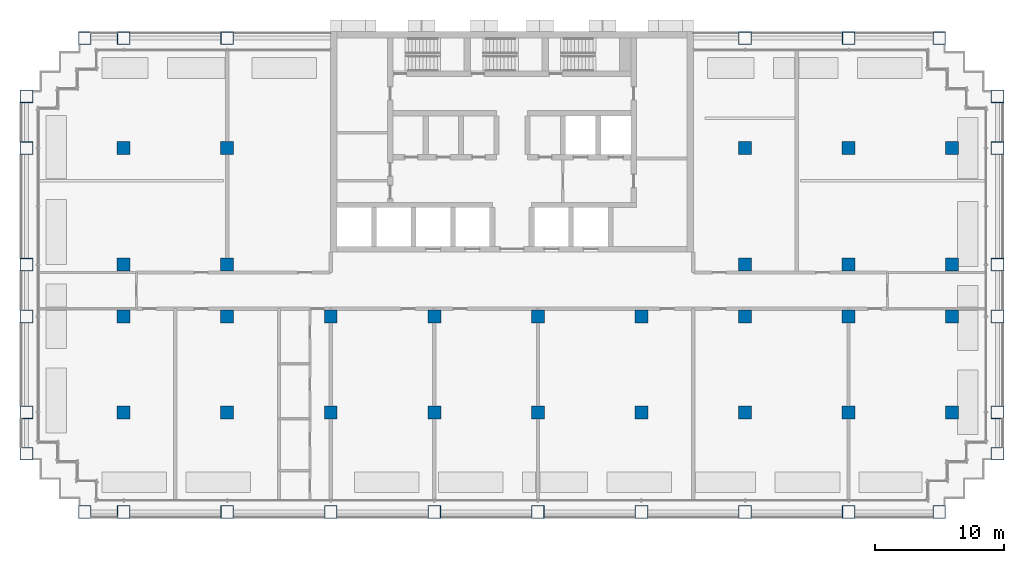
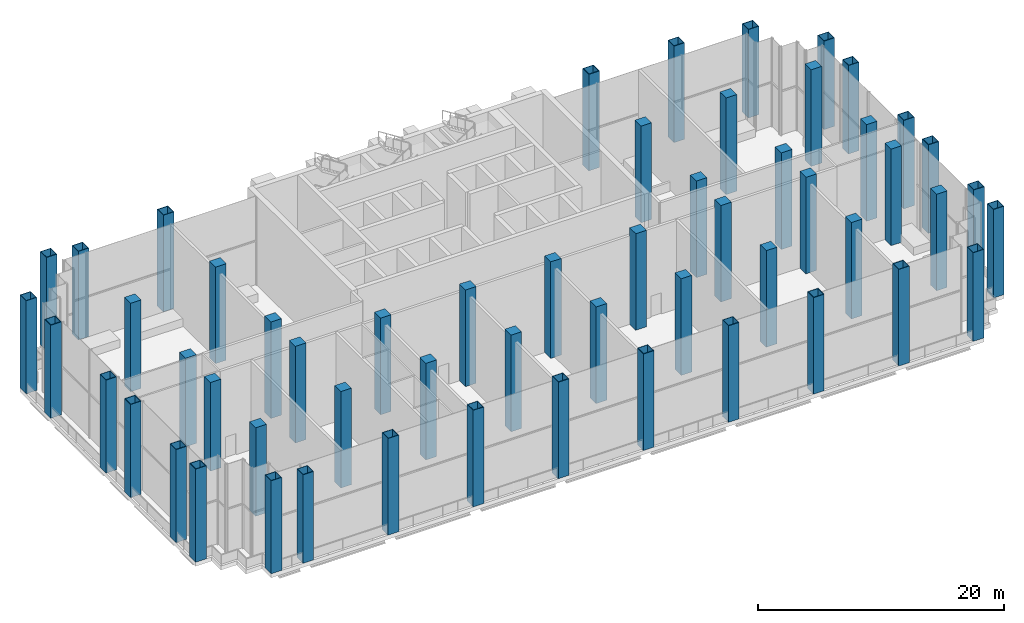
# One storey, part 1 of 16: 56 columns.
"""IFC4 building model written with IfcOpenShell, lengths in metres."""

from ifc_helpers import new_model, si_unit, direction, frame, origin, origin_2d, place, context, subcontext, project, spatial, rectangle, hollow_rectangle, extrude, material, material_profile, profile_set, type_object, element, save


model = new_model("IFC4")

# Units and contexts
model_context = context("Model", 3, precision=1e-05, world=origin(), true_north=direction((0.0, 1.0)))
body_context = subcontext(model_context, "Body", "Model", "MODEL_VIEW")
ifc_project = project(units=[si_unit("LENGTHUNIT", "METRE"), si_unit("AREAUNIT", "SQUARE_METRE"), si_unit("VOLUMEUNIT", "CUBIC_METRE"), si_unit("PLANEANGLEUNIT", "RADIAN"), si_unit("MASSUNIT", "GRAM", prefix="KILO")], contexts=[model_context])

# Site, building, storey
site_placement = place(None, origin())
site = spatial("IfcSite", under=ifc_project, at=site_placement, CompositionType="ELEMENT")
building_placement = place(site_placement, origin())
building = spatial("IfcBuilding", under=site, at=building_placement, Name="Vidyagriha Tower", CompositionType="ELEMENT")
storey_placement = place(building_placement, frame((0.0, 0.0, 64.0)))
storey = spatial("IfcBuildingStorey", under=building, at=storey_placement, Name="L17", CompositionType="ELEMENT", Elevation=64.0)

# Columns
ifc_material_1 = material(Name="Steel ASTM A572 Grade 50", Category="steel")
ifc_material_profile_1 = material_profile(ifc_material_1, hollow_rectangle(XDim=1.0, YDim=1.0, WallThickness=0.050048828125, at=origin_2d()), Name="BOX 1000x1000x50")
ifc_profile_set_1 = profile_set([ifc_material_profile_1], Name="Steel ASTM A572 Grade 50")
column_type_1 = type_object("IfcColumnType", Name="Exoskeleton column BOX 1000x1000x50", PredefinedType="COLUMN", material=ifc_profile_set_1)
column_1_placement = place(storey_placement, frame((-33.0, -17.10009765625, 0.0)))
element("IfcColumn", 1, at=column_1_placement, inside=storey, type_object=column_type_1, Name="st-col-L17-B1-001", PredefinedType="COLUMN", context=body_context, shape_type="SweptSolid", body=[
    extrude(hollow_rectangle(XDim=1.0, YDim=1.0, WallThickness=0.050048828125, at=origin_2d()), origin(), (0.0, 0.0, 1.0), 9.25),
])
column_2_placement = place(storey_placement, frame((-30.0, -17.10009765625, 0.0)))
element("IfcColumn", 2, at=column_2_placement, inside=storey, type_object=column_type_1, Name="st-col-L17-B1-002", PredefinedType="COLUMN", context=body_context, shape_type="SweptSolid", body=[
    extrude(hollow_rectangle(XDim=1.0, YDim=1.0, WallThickness=0.050048828125, at=origin_2d()), origin(), (0.0, 0.0, 1.0), 8.800048828125),
])
for number, where, name in (
    (3, (-22.0, -17.10009765625, 0.0), "st-col-L17-B1-003"),
    (4, (-14.0, -17.10009765625, 0.0), "st-col-L17-B1-004"),
    (5, (-6.0, -17.10009765625, 0.0), "st-col-L17-B1-005"),
    (6, (2.0, -17.10009765625, 0.0), "st-col-L17-B1-006"),
    (7, (10.0, -17.10009765625, 0.0), "st-col-L17-B1-007"),
    (8, (18.0, -17.10009765625, 0.0), "st-col-L17-B1-008"),
    (9, (26.0, -17.10009765625, 0.0), "st-col-L17-B1-009"),
):
    element("IfcColumn", number, at=place(storey_placement, frame(where)), inside=storey, type_object=column_type_1, Name=name, PredefinedType="COLUMN", context=body_context, shape_type="SweptSolid", body=[
        extrude(hollow_rectangle(XDim=1.0, YDim=1.0, WallThickness=0.050048828125, at=origin_2d()), origin(), (0.0, 0.0, 1.0), 9.60009765625),
    ])
column_3_placement = place(storey_placement, frame((33.0, -17.10009765625, 0.0)))
element("IfcColumn", 10, at=column_3_placement, inside=storey, type_object=column_type_1, Name="st-col-L17-B1-010", PredefinedType="COLUMN", context=body_context, shape_type="SweptSolid", body=[
    extrude(hollow_rectangle(XDim=1.0, YDim=1.0, WallThickness=0.050048828125, at=origin_2d()), origin(), (0.0, 0.0, 1.0), 8.800048828125),
])
column_4_placement = place(storey_placement, frame((-37.5, -12.60009765625, 0.0)))
element("IfcColumn", 11, at=column_4_placement, inside=storey, type_object=column_type_1, Name="st-col-L17-B1-011", PredefinedType="COLUMN", context=body_context, shape_type="SweptSolid", body=[
    extrude(hollow_rectangle(XDim=1.0, YDim=1.0, WallThickness=0.050048828125, at=origin_2d()), origin(), (0.0, 0.0, 1.0), 9.25),
])
column_5_placement = place(storey_placement, frame((37.5, -12.60009765625, 0.0)))
element("IfcColumn", 12, at=column_5_placement, inside=storey, type_object=column_type_1, Name="st-col-L17-B1-012", PredefinedType="COLUMN", context=body_context, shape_type="SweptSolid", body=[
    extrude(hollow_rectangle(XDim=1.0, YDim=1.0, WallThickness=0.050048828125, at=origin_2d()), origin(), (0.0, 0.0, 1.0), 8.800048828125),
])
column_6_placement = place(storey_placement, frame((-37.5, -9.39990234375, 0.0)))
element("IfcColumn", 13, at=column_6_placement, inside=storey, type_object=column_type_1, Name="st-col-L17-B1-013", PredefinedType="COLUMN", context=body_context, shape_type="SweptSolid", body=[
    extrude(hollow_rectangle(XDim=1.0, YDim=1.0, WallThickness=0.050048828125, at=origin_2d()), origin(), (0.0, 0.0, 1.0), 9.25),
])
column_7_placement = place(storey_placement, frame((37.5, -9.39990234375, 0.0)))
element("IfcColumn", 14, at=column_7_placement, inside=storey, type_object=column_type_1, Name="st-col-L17-B1-023", PredefinedType="COLUMN", context=body_context, shape_type="SweptSolid", body=[
    extrude(hollow_rectangle(XDim=1.0, YDim=1.0, WallThickness=0.050048828125, at=origin_2d()), origin(), (0.0, 0.0, 1.0), 8.800048828125),
])
column_8_placement = place(storey_placement, frame((-37.5, -2.0, 0.0)))
element("IfcColumn", 15, at=column_8_placement, inside=storey, type_object=column_type_1, Name="st-col-L17-B1-024", PredefinedType="COLUMN", context=body_context, shape_type="SweptSolid", body=[
    extrude(hollow_rectangle(XDim=1.0, YDim=1.0, WallThickness=0.050048828125, at=origin_2d()), origin(), (0.0, 0.0, 1.0), 9.25),
])
column_9_placement = place(storey_placement, frame((37.5, -2.0, 0.0)))
element("IfcColumn", 16, at=column_9_placement, inside=storey, type_object=column_type_1, Name="st-col-L17-B1-034", PredefinedType="COLUMN", context=body_context, shape_type="SweptSolid", body=[
    extrude(hollow_rectangle(XDim=1.0, YDim=1.0, WallThickness=0.050048828125, at=origin_2d()), origin(), (0.0, 0.0, 1.0), 8.800048828125),
])
column_10_placement = place(storey_placement, frame((-37.5, 2.0, 0.0)))
element("IfcColumn", 17, at=column_10_placement, inside=storey, type_object=column_type_1, Name="st-col-L17-B1-035", PredefinedType="COLUMN", context=body_context, shape_type="SweptSolid", body=[
    extrude(hollow_rectangle(XDim=1.0, YDim=1.0, WallThickness=0.050048828125, at=origin_2d()), origin(), (0.0, 0.0, 1.0), 9.25),
])
column_11_placement = place(storey_placement, frame((37.5, 2.0, 0.0)))
element("IfcColumn", 18, at=column_11_placement, inside=storey, type_object=column_type_1, Name="st-col-L17-B1-041", PredefinedType="COLUMN", context=body_context, shape_type="SweptSolid", body=[
    extrude(hollow_rectangle(XDim=1.0, YDim=1.0, WallThickness=0.050048828125, at=origin_2d()), origin(), (0.0, 0.0, 1.0), 8.800048828125),
])
column_12_placement = place(storey_placement, frame((-37.5, 11.0, 0.0)))
element("IfcColumn", 19, at=column_12_placement, inside=storey, type_object=column_type_1, Name="st-col-L17-B1-042", PredefinedType="COLUMN", context=body_context, shape_type="SweptSolid", body=[
    extrude(hollow_rectangle(XDim=1.0, YDim=1.0, WallThickness=0.050048828125, at=origin_2d()), origin(), (0.0, 0.0, 1.0), 9.25),
])
column_13_placement = place(storey_placement, frame((37.5, 11.0, 0.0)))
element("IfcColumn", 20, at=column_13_placement, inside=storey, type_object=column_type_1, Name="st-col-L17-B1-048", PredefinedType="COLUMN", context=body_context, shape_type="SweptSolid", body=[
    extrude(hollow_rectangle(XDim=1.0, YDim=1.0, WallThickness=0.050048828125, at=origin_2d()), origin(), (0.0, 0.0, 1.0), 8.800048828125),
])
column_14_placement = place(storey_placement, frame((-37.5, 15.0, 0.0)))
element("IfcColumn", 21, at=column_14_placement, inside=storey, type_object=column_type_1, Name="st-col-L17-B1-049", PredefinedType="COLUMN", context=body_context, shape_type="SweptSolid", body=[
    extrude(hollow_rectangle(XDim=1.0, YDim=1.0, WallThickness=0.050048828125, at=origin_2d()), origin(), (0.0, 0.0, 1.0), 9.25),
])
column_15_placement = place(storey_placement, frame((37.5, 15.0, 0.0)))
element("IfcColumn", 22, at=column_15_placement, inside=storey, type_object=column_type_1, Name="st-col-L17-B1-050", PredefinedType="COLUMN", context=body_context, shape_type="SweptSolid", body=[
    extrude(hollow_rectangle(XDim=1.0, YDim=1.0, WallThickness=0.050048828125, at=origin_2d()), origin(), (0.0, 0.0, 1.0), 8.800048828125),
])
column_16_placement = place(storey_placement, frame((-33.0, 19.5, 0.0)))
element("IfcColumn", 23, at=column_16_placement, inside=storey, type_object=column_type_1, Name="st-col-L17-B1-051", PredefinedType="COLUMN", context=body_context, shape_type="SweptSolid", body=[
    extrude(hollow_rectangle(XDim=1.0, YDim=1.0, WallThickness=0.050048828125, at=origin_2d()), origin(), (0.0, 0.0, 1.0), 9.25),
])
column_17_placement = place(storey_placement, frame((-30.0, 19.5, 0.0)))
element("IfcColumn", 24, at=column_17_placement, inside=storey, type_object=column_type_1, Name="st-col-L17-B1-052", PredefinedType="COLUMN", context=body_context, shape_type="SweptSolid", body=[
    extrude(hollow_rectangle(XDim=1.0, YDim=1.0, WallThickness=0.050048828125, at=origin_2d()), origin(), (0.0, 0.0, 1.0), 8.800048828125),
])
for number, where, name in (
    (25, (-22.0, 19.5, 0.0), "st-col-L17-B1-053"),
    (26, (18.0, 19.5, 0.0), "st-col-L17-B1-054"),
    (27, (26.0, 19.5, 0.0), "st-col-L17-B1-055"),
):
    element("IfcColumn", number, at=place(storey_placement, frame(where)), inside=storey, type_object=column_type_1, Name=name, PredefinedType="COLUMN", context=body_context, shape_type="SweptSolid", body=[
        extrude(hollow_rectangle(XDim=1.0, YDim=1.0, WallThickness=0.050048828125, at=origin_2d()), origin(), (0.0, 0.0, 1.0), 9.60009765625),
    ])
column_18_placement = place(storey_placement, frame((33.0, 19.5, 0.0)))
element("IfcColumn", 28, at=column_18_placement, inside=storey, type_object=column_type_1, Name="st-col-L17-B1-056", PredefinedType="COLUMN", context=body_context, shape_type="SweptSolid", body=[
    extrude(hollow_rectangle(XDim=1.0, YDim=1.0, WallThickness=0.050048828125, at=origin_2d()), origin(), (0.0, 0.0, 1.0), 8.800048828125),
])
ifc_material_2 = material(Name="Concrete C80/95", Category="concrete")
ifc_material_profile_2 = material_profile(ifc_material_2, rectangle(XDim=1.0, YDim=1.0, at=origin_2d()), Name="RC 1000x1000")
ifc_profile_set_2 = profile_set([ifc_material_profile_2], Name="Concrete C80/95")
column_type_2 = type_object("IfcColumnType", Name="Frame column RC 1000x1000", PredefinedType="COLUMN", material=ifc_profile_set_2)
column_19_placement = place(storey_placement, frame((-30.0, -9.39990234375, 0.0)))
element("IfcColumn", 29, at=column_19_placement, inside=storey, type_object=column_type_2, Name="st-col-L17-B1-014", PredefinedType="COLUMN", context=body_context, shape_type="SweptSolid", body=[
    extrude(rectangle(XDim=1.0, YDim=1.0, at=origin_2d()), origin(), (0.0, 0.0, 1.0), 8.800048828125),
])
for number, where, name in (
    (30, (-22.0, -9.39990234375, 0.0), "st-col-L17-B1-015"),
    (31, (-14.0, -9.39990234375, 0.0), "st-col-L17-B1-016"),
    (32, (-6.0, -9.39990234375, 0.0), "st-col-L17-B1-017"),
    (33, (2.0, -9.39990234375, 0.0), "st-col-L17-B1-018"),
    (34, (10.0, -9.39990234375, 0.0), "st-col-L17-B1-019"),
    (35, (18.0, -9.39990234375, 0.0), "st-col-L17-B1-020"),
    (36, (26.0, -9.39990234375, 0.0), "st-col-L17-B1-021"),
    (37, (34.0, -9.39990234375, 0.0), "st-col-L17-B1-022"),
):
    element("IfcColumn", number, at=place(storey_placement, frame(where)), inside=storey, type_object=column_type_2, Name=name, PredefinedType="COLUMN", context=body_context, shape_type="SweptSolid", body=[
        extrude(rectangle(XDim=1.0, YDim=1.0, at=origin_2d()), origin(), (0.0, 0.0, 1.0), 9.60009765625),
    ])
column_20_placement = place(storey_placement, frame((-30.0, -2.0, 0.0)))
element("IfcColumn", 38, at=column_20_placement, inside=storey, type_object=column_type_2, Name="st-col-L17-B1-025", PredefinedType="COLUMN", context=body_context, shape_type="SweptSolid", body=[
    extrude(rectangle(XDim=1.0, YDim=1.0, at=origin_2d()), origin(), (0.0, 0.0, 1.0), 8.800048828125),
])
for number, where, name in (
    (39, (-22.0, -2.0, 0.0), "st-col-L17-B1-026"),
    (40, (-14.0, -2.0, 0.0), "st-col-L17-B1-027"),
    (41, (-6.0, -2.0, 0.0), "st-col-L17-B1-028"),
    (42, (2.0, -2.0, 0.0), "st-col-L17-B1-029"),
    (43, (10.0, -2.0, 0.0), "st-col-L17-B1-030"),
    (44, (18.0, -2.0, 0.0), "st-col-L17-B1-031"),
    (45, (26.0, -2.0, 0.0), "st-col-L17-B1-032"),
    (46, (34.0, -2.0, 0.0), "st-col-L17-B1-033"),
):
    element("IfcColumn", number, at=place(storey_placement, frame(where)), inside=storey, type_object=column_type_2, Name=name, PredefinedType="COLUMN", context=body_context, shape_type="SweptSolid", body=[
        extrude(rectangle(XDim=1.0, YDim=1.0, at=origin_2d()), origin(), (0.0, 0.0, 1.0), 9.60009765625),
    ])
column_21_placement = place(storey_placement, frame((-30.0, 2.0, 0.0)))
element("IfcColumn", 47, at=column_21_placement, inside=storey, type_object=column_type_2, Name="st-col-L17-B1-036", PredefinedType="COLUMN", context=body_context, shape_type="SweptSolid", body=[
    extrude(rectangle(XDim=1.0, YDim=1.0, at=origin_2d()), origin(), (0.0, 0.0, 1.0), 8.800048828125),
])
for number, where, name in (
    (48, (-22.0, 2.0, 0.0), "st-col-L17-B1-037"),
    (49, (18.0, 2.0, 0.0), "st-col-L17-B1-038"),
    (50, (26.0, 2.0, 0.0), "st-col-L17-B1-039"),
    (51, (34.0, 2.0, 0.0), "st-col-L17-B1-040"),
):
    element("IfcColumn", number, at=place(storey_placement, frame(where)), inside=storey, type_object=column_type_2, Name=name, PredefinedType="COLUMN", context=body_context, shape_type="SweptSolid", body=[
        extrude(rectangle(XDim=1.0, YDim=1.0, at=origin_2d()), origin(), (0.0, 0.0, 1.0), 9.60009765625),
    ])
column_22_placement = place(storey_placement, frame((-30.0, 11.0, 0.0)))
element("IfcColumn", 52, at=column_22_placement, inside=storey, type_object=column_type_2, Name="st-col-L17-B1-043", PredefinedType="COLUMN", context=body_context, shape_type="SweptSolid", body=[
    extrude(rectangle(XDim=1.0, YDim=1.0, at=origin_2d()), origin(), (0.0, 0.0, 1.0), 8.800048828125),
])
for number, where, name in (
    (53, (-22.0, 11.0, 0.0), "st-col-L17-B1-044"),
    (54, (18.0, 11.0, 0.0), "st-col-L17-B1-045"),
    (55, (26.0, 11.0, 0.0), "st-col-L17-B1-046"),
    (56, (34.0, 11.0, 0.0), "st-col-L17-B1-047"),
):
    element("IfcColumn", number, at=place(storey_placement, frame(where)), inside=storey, type_object=column_type_2, Name=name, PredefinedType="COLUMN", context=body_context, shape_type="SweptSolid", body=[
        extrude(rectangle(XDim=1.0, YDim=1.0, at=origin_2d()), origin(), (0.0, 0.0, 1.0), 9.60009765625),
    ])

save(model, "model.ifc")
